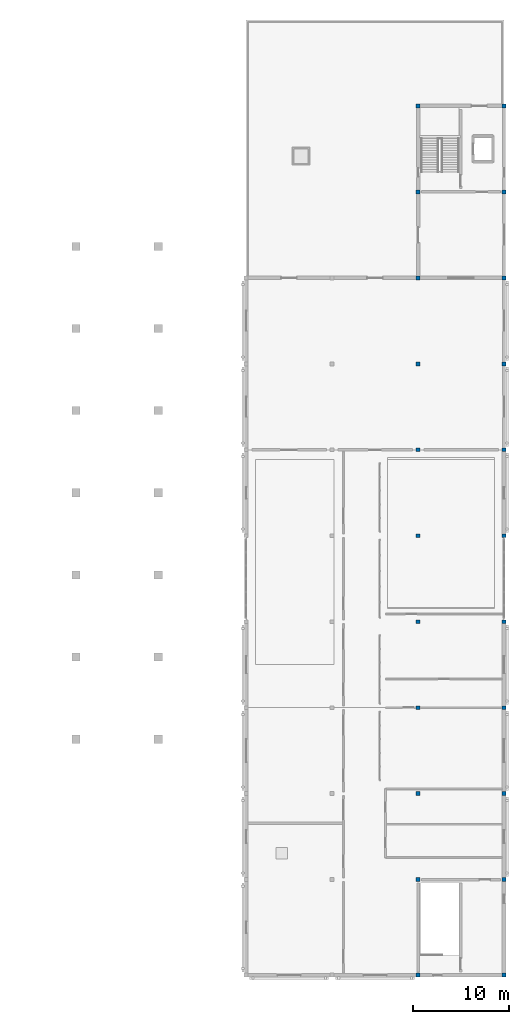
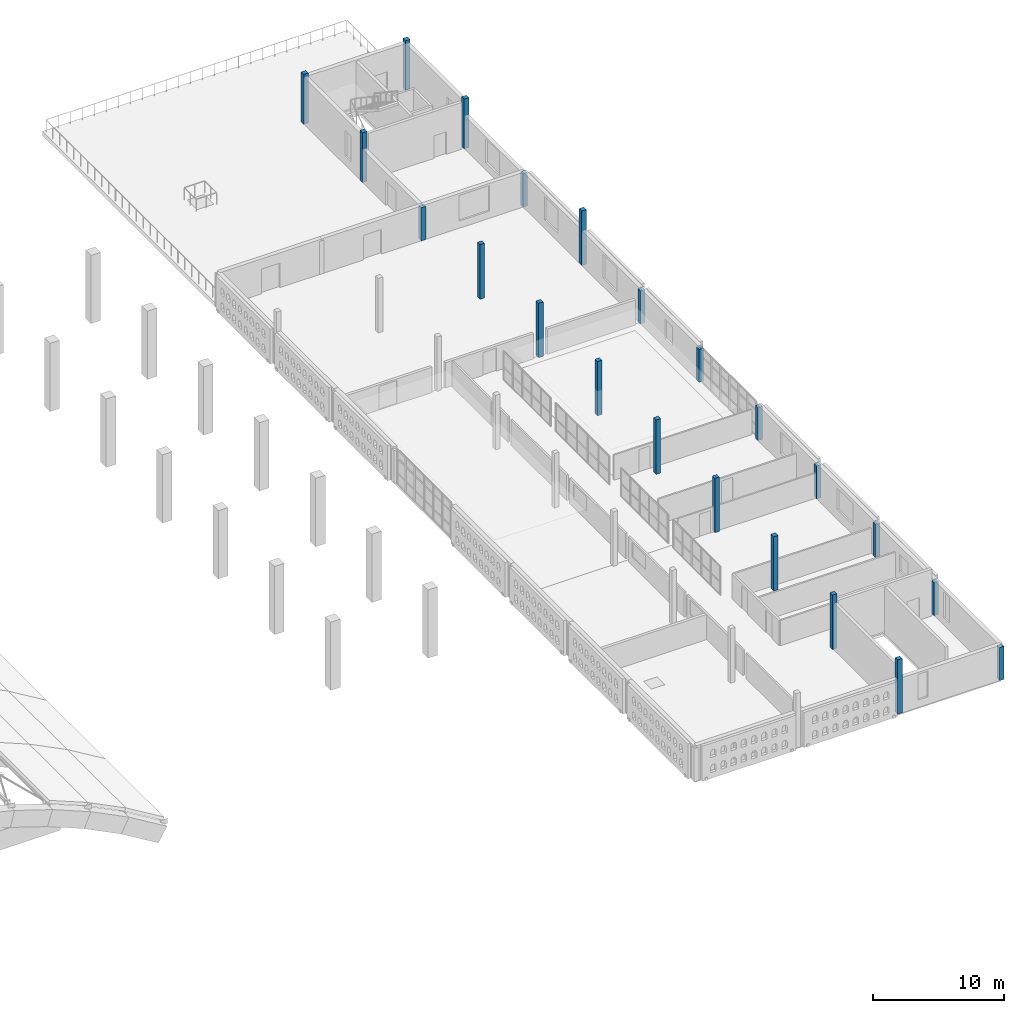
# One storey, part 3 of 30: 22 columns.
"""IFC4 building model written with IfcOpenShell, lengths in metres."""

from ifc_helpers import new_model, si_unit, direction, frame, origin, origin_2d, place, context, subcontext, project, spatial, rectangle, extrude, material, material_profile, profile_set, type_object, element, save


model = new_model("IFC4")

# Units and contexts
model_context = context("Model", 3, precision=1e-05, world=origin(), true_north=direction((0.0, 1.0)))
body_context = subcontext(model_context, "Body", "Model", "MODEL_VIEW")
ifc_project = project(units=[si_unit("LENGTHUNIT", "METRE"), si_unit("AREAUNIT", "SQUARE_METRE"), si_unit("VOLUMEUNIT", "CUBIC_METRE"), si_unit("PLANEANGLEUNIT", "RADIAN"), si_unit("MASSUNIT", "GRAM", prefix="KILO")], contexts=[model_context])

# Site, building, storey
site_placement = place(None, origin())
site = spatial("IfcSite", under=ifc_project, at=site_placement, CompositionType="ELEMENT")
building_placement = place(site_placement, origin())
building = spatial("IfcBuilding", under=site, at=building_placement, Name="Ornek Quay Market", CompositionType="ELEMENT")
storey_placement = place(building_placement, frame((0.0, 0.0, 12.0)))
storey = spatial("IfcBuildingStorey", under=building, at=storey_placement, Name="L03", CompositionType="ELEMENT", Elevation=12.0)

# Columns
ifc_material = material(Name="Concrete C40/50", Category="concrete")
ifc_material_profile = material_profile(ifc_material, rectangle(XDim=0.39990234375, YDim=0.39990234375, at=origin_2d()), Name="RC 400x400", Category="concrete")
ifc_profile_set = profile_set([ifc_material_profile], Name="Concrete C40/50")
column_type = type_object("IfcColumnType", Name="COL-RC-400x400", PredefinedType="COLUMN", material=ifc_profile_set)
for number, where, z_axis, x_axis, name in (
    (1, (171.0, 10.0, 0.0), (0.0, 0.0, 1.0), (1.0, 0.0, 0.0), "Column C-40-019"),
    (2, (171.0, 20.0, 0.0), (0.0, 0.0, 1.0), (1.0, 0.0, 0.0), "Column C-40-020"),
    (3, (171.0, 29.0, 0.0), (0.0, 0.0, 1.0), (1.0, 0.0, 0.0), "Column C-40-021"),
    (4, (171.0, 38.0, 0.0), (0.0, 0.0, 1.0), (1.0, 0.0, 0.0), "Column C-40-022"),
    (5, (171.0, 47.0, 0.0), (0.0, 0.0, 1.0), (1.0, 0.0, 0.0), "Column C-40-023"),
    (6, (171.0, 56.0, 0.0), (0.0, 0.0, 1.0), (1.0, 0.0, 0.0), "Column C-40-024"),
    (7, (171.0, 65.0, 0.0), (0.0, 0.0, 1.0), (1.0, 0.0, 0.0), "Column C-40-025"),
):
    element("IfcColumn", number, at=place(storey_placement, frame(where, z_axis=z_axis, x_axis=x_axis)), inside=storey, type_object=column_type, Name=name, PredefinedType="COLUMN", context=body_context, shape_type="SweptSolid", body=[
        extrude(rectangle(XDim=0.39990234375, YDim=0.39990234375, at=origin_2d()), origin(), (0.0, 0.0, 1.0), 5.080078125),
    ])
column_1_placement = place(storey_placement, frame((171.0, 74.0, 0.0), z_axis=(0.0, 0.0, 1.0), x_axis=(1.0, 0.0, 0.0)))
element("IfcColumn", 8, at=column_1_placement, inside=storey, type_object=column_type, Name="Column C-40-026", PredefinedType="COLUMN", context=body_context, shape_type="SweptSolid", body=[
    extrude(rectangle(XDim=0.39990234375, YDim=0.39990234375, at=origin_2d()), origin(), (0.0, 0.0, 1.0), 5.10009765625),
])
column_2_placement = place(storey_placement, frame((171.0, 83.0, 0.0), z_axis=(0.0, 0.0, 1.0), x_axis=(1.0, 0.0, 0.0)))
element("IfcColumn", 9, at=column_2_placement, inside=storey, type_object=column_type, Name="Column C-40-027", PredefinedType="COLUMN", context=body_context, shape_type="SweptSolid", body=[
    extrude(rectangle(XDim=0.39990234375, YDim=0.39990234375, at=origin_2d()), origin(), (0.0, 0.0, 1.0), 3.10009765625),
])
for number, where, z_axis, x_axis, name in (
    (10, (171.0, 92.0, 0.0), (0.0, 0.0, 1.0), (1.0, 0.0, 0.0), "Column C-40-028"),
    (11, (171.0, 101.0, 0.0), (0.0, 0.0, 1.0), (1.0, 0.0, 0.0), "Column C-40-030"),
):
    element("IfcColumn", number, at=place(storey_placement, frame(where, z_axis=z_axis, x_axis=x_axis)), inside=storey, type_object=column_type, Name=name, PredefinedType="COLUMN", context=body_context, shape_type="SweptSolid", body=[
        extrude(rectangle(XDim=0.39990234375, YDim=0.39990234375, at=origin_2d()), origin(), (0.0, 0.0, 1.0), 4.64990234375),
    ])
for number, where, z_axis, x_axis, name in (
    (12, (180.0, 10.0, 0.0), (0.0, 0.0, 1.0), (1.0, 0.0, 0.0), "Column C-40-032"),
    (13, (180.0, 20.0, 0.0), (0.0, 0.0, 1.0), (1.0, 0.0, 0.0), "Column C-40-033"),
    (14, (180.0, 29.0, 0.0), (0.0, 0.0, 1.0), (1.0, 0.0, 0.0), "Column C-40-034"),
    (15, (180.0, 38.0, 0.0), (0.0, 0.0, 1.0), (1.0, 0.0, 0.0), "Column C-40-035"),
    (16, (180.0, 47.0, 0.0), (0.0, 0.0, 1.0), (1.0, 0.0, 0.0), "Column C-40-036"),
    (17, (180.0, 56.0, 0.0), (0.0, 0.0, 1.0), (1.0, 0.0, 0.0), "Column C-40-037"),
    (18, (180.0, 65.0, 0.0), (0.0, 0.0, 1.0), (1.0, 0.0, 0.0), "Column C-40-038"),
):
    element("IfcColumn", number, at=place(storey_placement, frame(where, z_axis=z_axis, x_axis=x_axis)), inside=storey, type_object=column_type, Name=name, PredefinedType="COLUMN", context=body_context, shape_type="SweptSolid", body=[
        extrude(rectangle(XDim=0.39990234375, YDim=0.39990234375, at=origin_2d()), origin(), (0.0, 0.0, 1.0), 3.080078125),
    ])
column_3_placement = place(storey_placement, frame((180.0, 74.0, 0.0), z_axis=(0.0, 0.0, 1.0), x_axis=(1.0, 0.0, 0.0)))
element("IfcColumn", 19, at=column_3_placement, inside=storey, type_object=column_type, Name="Column C-40-039", PredefinedType="COLUMN", context=body_context, shape_type="SweptSolid", body=[
    extrude(rectangle(XDim=0.39990234375, YDim=0.39990234375, at=origin_2d()), origin(), (0.0, 0.0, 1.0), 5.10009765625),
])
column_4_placement = place(storey_placement, frame((180.0, 83.0, 0.0), z_axis=(0.0, 0.0, 1.0), x_axis=(1.0, 0.0, 0.0)))
element("IfcColumn", 20, at=column_4_placement, inside=storey, type_object=column_type, Name="Column C-40-040", PredefinedType="COLUMN", context=body_context, shape_type="SweptSolid", body=[
    extrude(rectangle(XDim=0.39990234375, YDim=0.39990234375, at=origin_2d()), origin(), (0.0, 0.0, 1.0), 3.10009765625),
])
for number, where, z_axis, x_axis, name in (
    (21, (180.0, 92.0, 0.0), (0.0, 0.0, 1.0), (1.0, 0.0, 0.0), "Column C-40-041"),
    (22, (180.0, 101.0, 0.0), (0.0, 0.0, 1.0), (1.0, 0.0, 0.0), "Column C-40-043"),
):
    element("IfcColumn", number, at=place(storey_placement, frame(where, z_axis=z_axis, x_axis=x_axis)), inside=storey, type_object=column_type, Name=name, PredefinedType="COLUMN", context=body_context, shape_type="SweptSolid", body=[
        extrude(rectangle(XDim=0.39990234375, YDim=0.39990234375, at=origin_2d()), origin(), (0.0, 0.0, 1.0), 4.64990234375),
    ])

save(model, "model.ifc")
